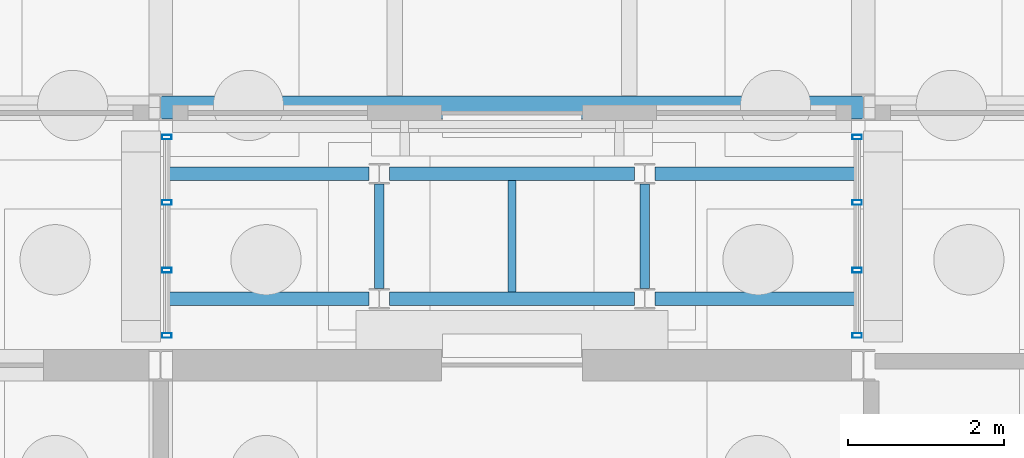
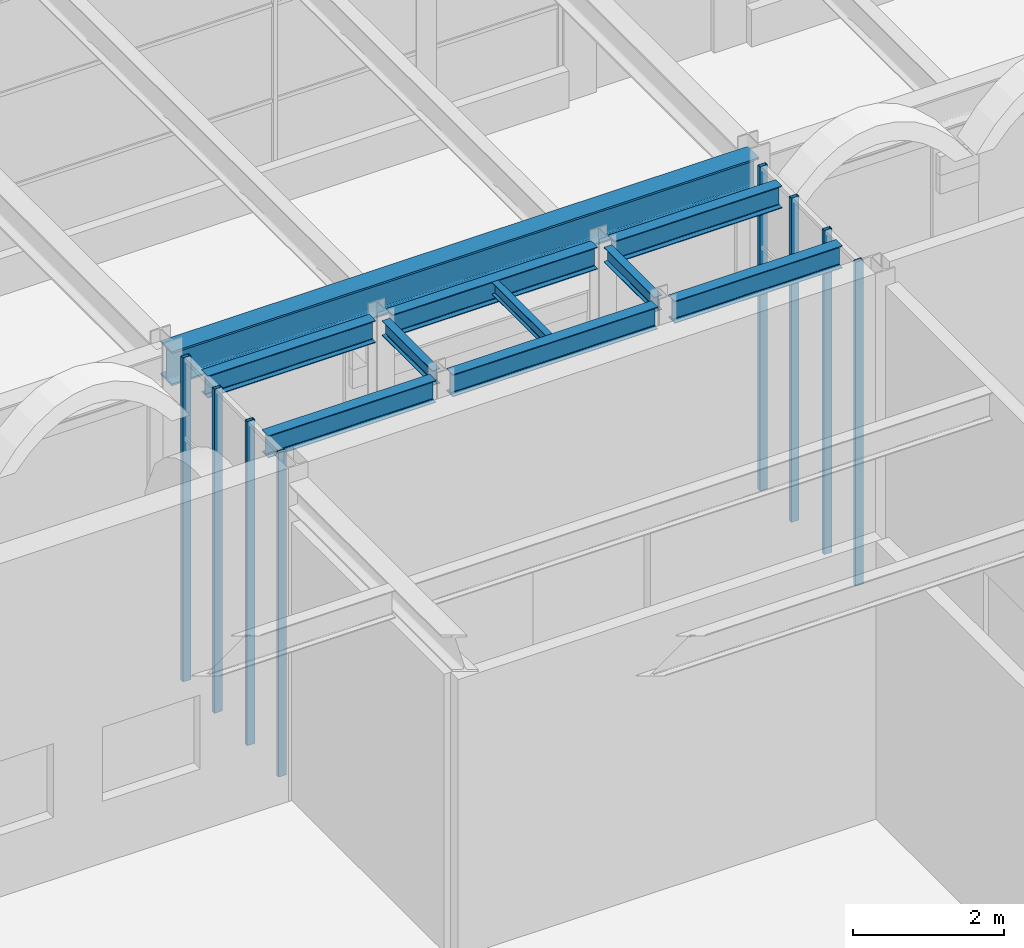
# One storey, part 32 of 126: 10 beams, 8 members, 2 elements without a shape of their own.
"""IFC4 building model written with IfcOpenShell, lengths in metres."""

from ifc_helpers import new_model, si_unit, direction, frame, origin, origin_2d, place, context, subcontext, project, spatial, hollow_rectangle, i_section, extrude, material, material_profile, profile_set, type_object, element, aggregate, save


model = new_model("IFC4")

# Units and contexts
model_context = context("Model", 3, precision=1e-05, world=origin(), true_north=direction((0.0, 1.0)))
body_context = subcontext(model_context, "Body", "Model", "MODEL_VIEW")
ifc_project = project(units=[si_unit("LENGTHUNIT", "METRE"), si_unit("AREAUNIT", "SQUARE_METRE"), si_unit("VOLUMEUNIT", "CUBIC_METRE"), si_unit("PLANEANGLEUNIT", "RADIAN"), si_unit("MASSUNIT", "GRAM", prefix="KILO")], contexts=[model_context])

# Site, building, storey
site_placement = place(None, origin())
site = spatial("IfcSite", under=ifc_project, at=site_placement, CompositionType="ELEMENT")
building_placement = place(site_placement, origin())
building = spatial("IfcBuilding", under=site, at=building_placement, Name="Kallimachos Central Library", CompositionType="ELEMENT")
storey_placement = place(building_placement, origin())
storey = spatial("IfcBuildingStorey", under=building, at=storey_placement, Name="L00", CompositionType="ELEMENT", Elevation=0.0)

# Curtain wall, members
ifc_material_1 = material(Name="Aluminium and laminated glass", Category="aluminium")
curtain_wall_type = type_object("IfcCurtainWallType", Name="Link glazed wall", PredefinedType="NOTDEFINED", material=ifc_material_1)
curtain_wall_1_placement = place(storey_placement, origin())
curtain_wall_1 = element("IfcCurtainWall", 1, at=curtain_wall_1_placement, inside=storey, type_object=curtain_wall_type, Name="Stacks Link glazed wall L00", PredefinedType="NOTDEFINED")
ifc_material_2 = material(Name="Anodised aluminium", Category="aluminium")
ifc_material_profile_1 = material_profile(ifc_material_2, hollow_rectangle(XDim=0.06005859375, YDim=0.1201171875, WallThickness=0.00390625, at=origin_2d()), Name="ALU MULLION 60x120")
ifc_profile_set_1 = profile_set([ifc_material_profile_1], Name="Anodised aluminium")
member_type = type_object("IfcMemberType", Name="ALU MULLION 60x120 mullion", PredefinedType="MULLION", material=ifc_profile_set_1)
member_1_placement = place(storey_placement, frame((83.580078125, 45.22998046875, 0.0), z_axis=(0.0, 0.0, 1.0), x_axis=(0.0, 1.0, 0.0)))
member_1 = element("IfcMember", 2, at=member_1_placement, type_object=member_type, Name="CW58 mullion 1", PredefinedType="MULLION", context=body_context, shape_type="SweptSolid", body=[
    extrude(hollow_rectangle(XDim=0.06005859375, YDim=0.1201171875, WallThickness=0.00390625, at=origin_2d()), origin(), (0.0, 0.0, 1.0), 5.25),
])
member_2_placement = place(storey_placement, frame((83.580078125, 46.066650390625, 0.0), z_axis=(0.0, 0.0, 1.0), x_axis=(0.0, 1.0, 0.0)))
member_2 = element("IfcMember", 3, at=member_2_placement, type_object=member_type, Name="CW58 mullion 2", PredefinedType="MULLION", context=body_context, shape_type="SweptSolid", body=[
    extrude(hollow_rectangle(XDim=0.06005859375, YDim=0.1201171875, WallThickness=0.00390625, at=origin_2d()), origin(), (0.0, 0.0, 1.0), 5.25),
])
member_3_placement = place(storey_placement, frame((83.580078125, 46.933349609375, 0.0), z_axis=(0.0, 0.0, 1.0), x_axis=(0.0, 1.0, 0.0)))
member_3 = element("IfcMember", 4, at=member_3_placement, type_object=member_type, Name="CW58 mullion 3", PredefinedType="MULLION", context=body_context, shape_type="SweptSolid", body=[
    extrude(hollow_rectangle(XDim=0.06005859375, YDim=0.1201171875, WallThickness=0.00390625, at=origin_2d()), origin(), (0.0, 0.0, 1.0), 5.25),
])
member_4_placement = place(storey_placement, frame((83.580078125, 47.77001953125, 0.0), z_axis=(0.0, 0.0, 1.0), x_axis=(0.0, 1.0, 0.0)))
member_4 = element("IfcMember", 5, at=member_4_placement, type_object=member_type, Name="CW58 mullion 4", PredefinedType="MULLION", context=body_context, shape_type="SweptSolid", body=[
    extrude(hollow_rectangle(XDim=0.06005859375, YDim=0.1201171875, WallThickness=0.00390625, at=origin_2d()), origin(), (0.0, 0.0, 1.0), 5.25),
])
aggregate(curtain_wall_1, [member_1, member_2, member_3, member_4])

curtain_wall_2_placement = place(storey_placement, origin())
curtain_wall_2 = element("IfcCurtainWall", 6, at=curtain_wall_2_placement, inside=storey, type_object=curtain_wall_type, Name="Stacks Link glazed wall L00", PredefinedType="NOTDEFINED")
member_5_placement = place(storey_placement, frame((92.419921875, 45.22998046875, 0.0), z_axis=(0.0, 0.0, 1.0), x_axis=(0.0, 1.0, 0.0)))
member_5 = element("IfcMember", 7, at=member_5_placement, type_object=member_type, Name="CW59 mullion 1", PredefinedType="MULLION", context=body_context, shape_type="SweptSolid", body=[
    extrude(hollow_rectangle(XDim=0.06005859375, YDim=0.1201171875, WallThickness=0.00390625, at=origin_2d()), origin(), (0.0, 0.0, 1.0), 5.25),
])
member_6_placement = place(storey_placement, frame((92.419921875, 46.066650390625, 0.0), z_axis=(0.0, 0.0, 1.0), x_axis=(0.0, 1.0, 0.0)))
member_6 = element("IfcMember", 8, at=member_6_placement, type_object=member_type, Name="CW59 mullion 2", PredefinedType="MULLION", context=body_context, shape_type="SweptSolid", body=[
    extrude(hollow_rectangle(XDim=0.06005859375, YDim=0.1201171875, WallThickness=0.00390625, at=origin_2d()), origin(), (0.0, 0.0, 1.0), 5.25),
])
member_7_placement = place(storey_placement, frame((92.419921875, 46.933349609375, 0.0), z_axis=(0.0, 0.0, 1.0), x_axis=(0.0, 1.0, 0.0)))
member_7 = element("IfcMember", 9, at=member_7_placement, type_object=member_type, Name="CW59 mullion 3", PredefinedType="MULLION", context=body_context, shape_type="SweptSolid", body=[
    extrude(hollow_rectangle(XDim=0.06005859375, YDim=0.1201171875, WallThickness=0.00390625, at=origin_2d()), origin(), (0.0, 0.0, 1.0), 5.25),
])
member_8_placement = place(storey_placement, frame((92.419921875, 47.77001953125, 0.0), z_axis=(0.0, 0.0, 1.0), x_axis=(0.0, 1.0, 0.0)))
member_8 = element("IfcMember", 10, at=member_8_placement, type_object=member_type, Name="CW59 mullion 4", PredefinedType="MULLION", context=body_context, shape_type="SweptSolid", body=[
    extrude(hollow_rectangle(XDim=0.06005859375, YDim=0.1201171875, WallThickness=0.00390625, at=origin_2d()), origin(), (0.0, 0.0, 1.0), 5.25),
])
aggregate(curtain_wall_2, [member_5, member_6, member_7, member_8])

# Beams
ifc_material_3 = material(Name="Steel S355J2", Category="steel")
ifc_material_profile_2 = material_profile(ifc_material_3, i_section(OverallWidth=0.300048828125, OverallDepth=0.550048828125, WebThickness=0.014892578125, FlangeThickness=0.029052734375, FilletRadius=0.027099609375, at=origin_2d()), Name="HEB 550")
ifc_profile_set_2 = profile_set([ifc_material_profile_2], Name="Steel S355J2")
beam_type_1 = type_object("IfcBeamType", Name="HEB 550 beam", PredefinedType="BEAM", material=ifc_profile_set_2)
beam_1_placement = place(storey_placement, frame((83.5, 48.14990234375, 4.925048828125), z_axis=(1.0, 0.0, 0.0), x_axis=(0.0, 1.0, 0.0)))
element("IfcBeam", 11, at=beam_1_placement, inside=storey, type_object=beam_type_1, Name="V4-BEM-L00-043", PredefinedType="BEAM", context=body_context, shape_type="SweptSolid", body=[
    extrude(i_section(OverallWidth=0.300048828125, OverallDepth=0.550048828125, WebThickness=0.014892578125, FlangeThickness=0.029052734375, FilletRadius=0.027099609375, at=origin_2d()), origin(), (0.0, 0.0, 1.0), 9.0),
])
ifc_material_4 = material(Name="Steel S355J2", Category="steel")
ifc_material_profile_3 = material_profile(ifc_material_4, i_section(OverallWidth=0.10009765625, OverallDepth=0.199951171875, WebThickness=0.005615234375, FlangeThickness=0.008544921875, FilletRadius=0.011962890625, at=origin_2d()), Name="IPE 200")
ifc_profile_set_3 = profile_set([ifc_material_profile_3], Name="Steel S355J2")
beam_type_2 = type_object("IfcBeamType", Name="IPE 200 beam", PredefinedType="BEAM", material=ifc_profile_set_3)
beam_2_placement = place(storey_placement, frame((88.0, 45.784912109375, 5.14990234375), z_axis=(0.0, 1.0, 0.0), x_axis=(-1.0, 0.0, 0.0)))
element("IfcBeam", 12, at=beam_2_placement, inside=storey, type_object=beam_type_2, Name="links-BEM-L00-007", PredefinedType="BEAM", context=body_context, shape_type="SweptSolid", body=[
    extrude(i_section(OverallWidth=0.10009765625, OverallDepth=0.199951171875, WebThickness=0.005615234375, FlangeThickness=0.008544921875, FilletRadius=0.011962890625, at=origin_2d()), origin(), (0.0, 0.0, 1.0), 1.43017578125),
])
ifc_material_5 = material(Name="Steel S355J2", Category="steel")
ifc_material_profile_4 = material_profile(ifc_material_5, i_section(OverallWidth=0.1201171875, OverallDepth=0.239990234375, WebThickness=0.006103515625, FlangeThickness=0.009765625, FilletRadius=0.014892578125, at=origin_2d()), Name="IPE 240")
ifc_profile_set_4 = profile_set([ifc_material_profile_4], Name="Steel S355J2")
beam_type_3 = type_object("IfcBeamType", Name="IPE 240 beam", PredefinedType="BEAM", material=ifc_profile_set_4)
for number, where, z_axis, x_axis, name in (
    (13, (86.300048828125, 45.830078125, 5.1298828125), (0.0, 1.0, 0.0), (-1.0, 0.0, 0.0), "links-BEM-L00-008"),
    (14, (89.699951171875, 45.830078125, 5.1298828125), (0.0, 1.0, 0.0), (-1.0, 0.0, 0.0), "links-BEM-L00-009"),
):
    element("IfcBeam", number, at=place(storey_placement, frame(where, z_axis=z_axis, x_axis=x_axis)), inside=storey, type_object=beam_type_3, Name=name, PredefinedType="BEAM", context=body_context, shape_type="SweptSolid", body=[
        extrude(i_section(OverallWidth=0.1201171875, OverallDepth=0.239990234375, WebThickness=0.006103515625, FlangeThickness=0.009765625, FilletRadius=0.014892578125, at=origin_2d()), origin(), (0.0, 0.0, 1.0), 1.33984375),
    ])
ifc_material_6 = material(Name="Steel S355J2", Category="steel")
ifc_material_profile_5 = material_profile(ifc_material_6, i_section(OverallWidth=0.169921875, OverallDepth=0.360107421875, WebThickness=0.008056640625, FlangeThickness=0.0126953125, FilletRadius=0.01806640625, at=origin_2d()), Name="IPE 360")
ifc_profile_set_5 = profile_set([ifc_material_profile_5], Name="Steel S355J2")
beam_type_4 = type_object("IfcBeamType", Name="IPE 360 beam", PredefinedType="BEAM", material=ifc_profile_set_5)
beam_3_placement = place(storey_placement, frame((83.60009765625, 45.699951171875, 5.070068359375), z_axis=(1.0, 0.0, 0.0), x_axis=(0.0, 1.0, 0.0)))
element("IfcBeam", 15, at=beam_3_placement, inside=storey, type_object=beam_type_4, Name="links-BEM-L00-001", PredefinedType="BEAM", context=body_context, shape_type="SweptSolid", body=[
    extrude(i_section(OverallWidth=0.169921875, OverallDepth=0.360107421875, WebThickness=0.008056640625, FlangeThickness=0.0126953125, FilletRadius=0.01806640625, at=origin_2d()), origin(), (0.0, 0.0, 1.0), 2.56982421875),
])
beam_4_placement = place(storey_placement, frame((86.429931640625, 45.699951171875, 5.070068359375), z_axis=(1.0, 0.0, 0.0), x_axis=(0.0, 1.0, 0.0)))
element("IfcBeam", 16, at=beam_4_placement, inside=storey, type_object=beam_type_4, Name="links-BEM-L00-002", PredefinedType="BEAM", context=body_context, shape_type="SweptSolid", body=[
    extrude(i_section(OverallWidth=0.169921875, OverallDepth=0.360107421875, WebThickness=0.008056640625, FlangeThickness=0.0126953125, FilletRadius=0.01806640625, at=origin_2d()), origin(), (0.0, 0.0, 1.0), 3.14013671875),
])
for number, where, z_axis, x_axis, name in (
    (17, (89.830078125, 45.699951171875, 5.070068359375), (1.0, 0.0, 0.0), (0.0, 1.0, 0.0), "links-BEM-L00-003"),
    (18, (83.60009765625, 47.300048828125, 5.070068359375), (1.0, 0.0, 0.0), (0.0, 1.0, 0.0), "links-BEM-L00-004"),
):
    element("IfcBeam", number, at=place(storey_placement, frame(where, z_axis=z_axis, x_axis=x_axis)), inside=storey, type_object=beam_type_4, Name=name, PredefinedType="BEAM", context=body_context, shape_type="SweptSolid", body=[
        extrude(i_section(OverallWidth=0.169921875, OverallDepth=0.360107421875, WebThickness=0.008056640625, FlangeThickness=0.0126953125, FilletRadius=0.01806640625, at=origin_2d()), origin(), (0.0, 0.0, 1.0), 2.56982421875),
    ])
beam_5_placement = place(storey_placement, frame((86.429931640625, 47.300048828125, 5.070068359375), z_axis=(1.0, 0.0, 0.0), x_axis=(0.0, 1.0, 0.0)))
element("IfcBeam", 19, at=beam_5_placement, inside=storey, type_object=beam_type_4, Name="links-BEM-L00-005", PredefinedType="BEAM", context=body_context, shape_type="SweptSolid", body=[
    extrude(i_section(OverallWidth=0.169921875, OverallDepth=0.360107421875, WebThickness=0.008056640625, FlangeThickness=0.0126953125, FilletRadius=0.01806640625, at=origin_2d()), origin(), (0.0, 0.0, 1.0), 3.14013671875),
])
beam_6_placement = place(storey_placement, frame((89.830078125, 47.300048828125, 5.070068359375), z_axis=(1.0, 0.0, 0.0), x_axis=(0.0, 1.0, 0.0)))
element("IfcBeam", 20, at=beam_6_placement, inside=storey, type_object=beam_type_4, Name="links-BEM-L00-006", PredefinedType="BEAM", context=body_context, shape_type="SweptSolid", body=[
    extrude(i_section(OverallWidth=0.169921875, OverallDepth=0.360107421875, WebThickness=0.008056640625, FlangeThickness=0.0126953125, FilletRadius=0.01806640625, at=origin_2d()), origin(), (0.0, 0.0, 1.0), 2.56982421875),
])

save(model, "model.ifc")
